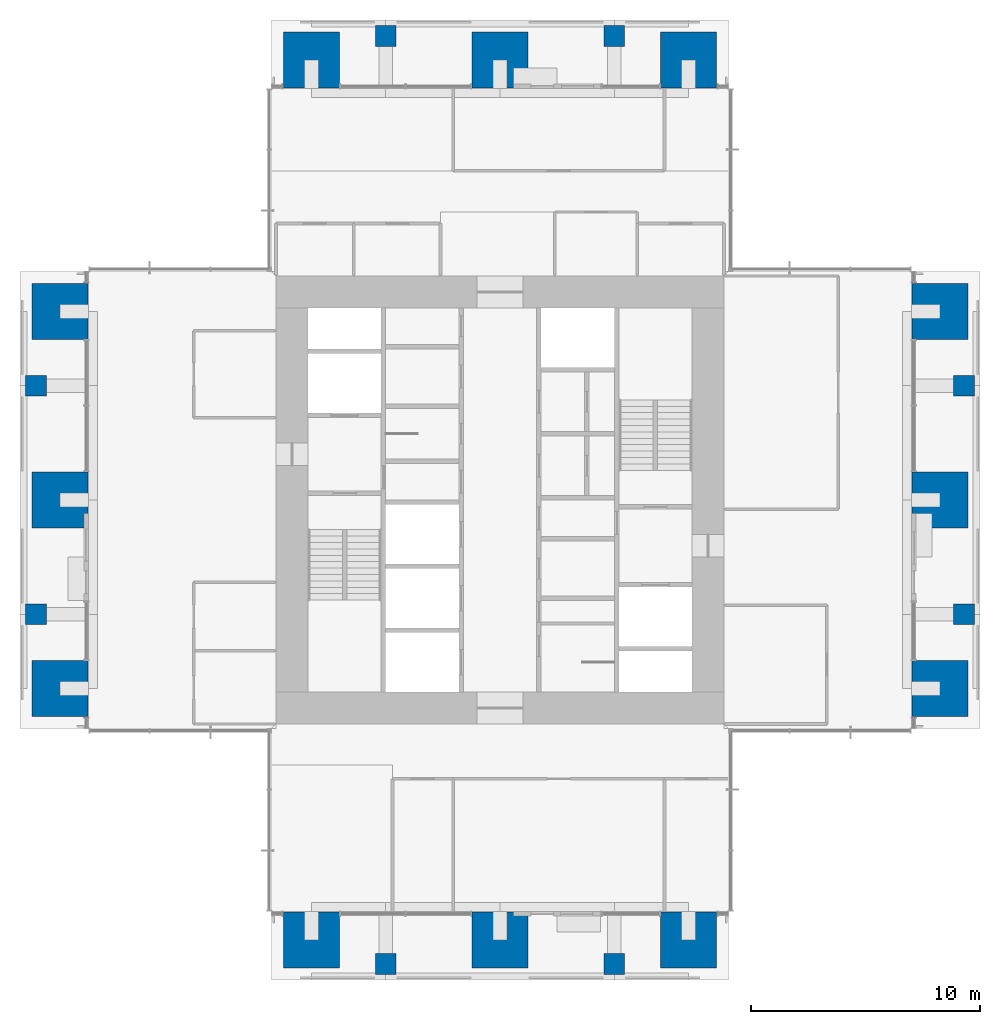
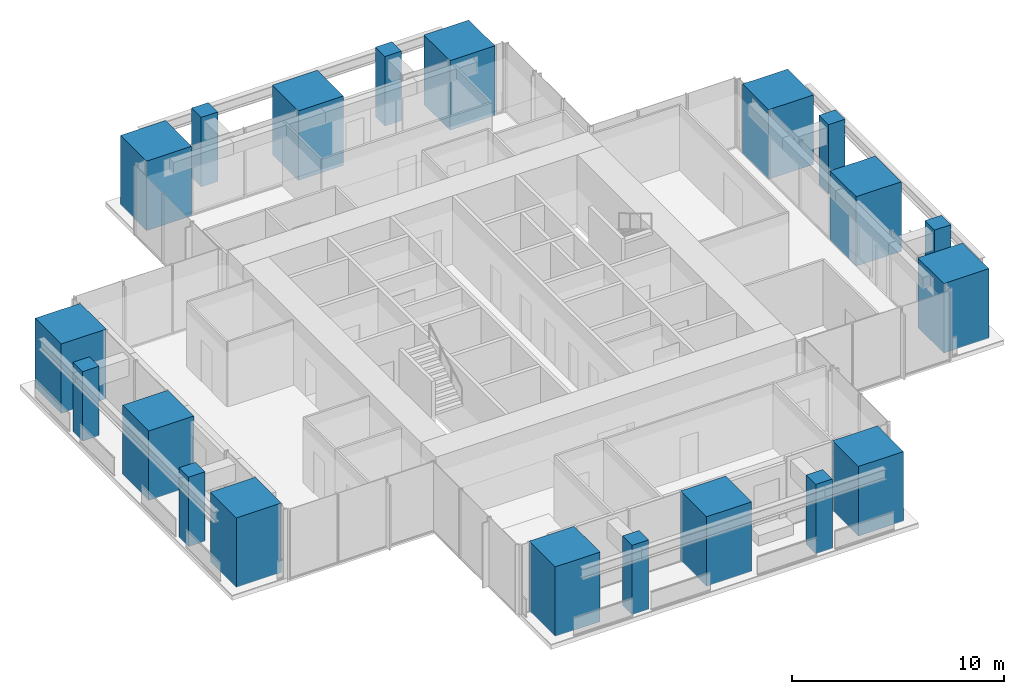
# One storey, part 1 of 17: 20 columns.
"""IFC4 building model written with IfcOpenShell, lengths in metres."""

from ifc_helpers import new_model, si_unit, direction, frame, origin, origin_2d, place, context, subcontext, project, spatial, rectangle, extrude, material, material_profile, profile_set, type_object, element, save


model = new_model("IFC4")

# Units and contexts
model_context = context("Model", 3, precision=1e-05, world=origin(), true_north=direction((0.0, 1.0)))
body_context = subcontext(model_context, "Body", "Model", "MODEL_VIEW")
ifc_project = project(units=[si_unit("LENGTHUNIT", "METRE"), si_unit("AREAUNIT", "SQUARE_METRE"), si_unit("VOLUMEUNIT", "CUBIC_METRE"), si_unit("PLANEANGLEUNIT", "RADIAN"), si_unit("MASSUNIT", "GRAM", prefix="KILO")], contexts=[model_context])

# Site, building, storey
site_placement = place(None, origin())
site = spatial("IfcSite", under=ifc_project, at=site_placement, CompositionType="ELEMENT")
building_placement = place(site_placement, origin())
building = spatial("IfcBuilding", under=site, at=building_placement, Name="Svetlomir Tower", CompositionType="ELEMENT")
storey_placement = place(building_placement, frame((0.0, 0.0, 218.5)))
storey = spatial("IfcBuildingStorey", under=building, at=storey_placement, Name="L52", CompositionType="ELEMENT", Elevation=218.5)

# Columns
ifc_material_1 = material(Name="Concrete C60/75", Category="concrete")
ifc_material_profile_1 = material_profile(ifc_material_1, rectangle(XDim=2.449951171875, YDim=2.449951171875, at=origin_2d()), Name="RC 2450x2450")
ifc_profile_set_1 = profile_set([ifc_material_profile_1], Name="Concrete C60/75")
column_type_1 = type_object("IfcColumnType", Name="COLUMN RC 2450x2450", PredefinedType="COLUMN", material=ifc_profile_set_1)
for number, where, z_axis, x_axis, name in (
    (1, (12.75, 1.75, 0.0), (0.0, 0.0, 1.0), (1.0, 0.0, 0.0), "Column 11/0 L52"),
    (2, (21.0, 1.75, 0.0), (0.0, 0.0, 1.0), (1.0, 0.0, 0.0), "Column 21/0 L52"),
    (3, (29.25, 1.75, 0.0), (0.0, 0.0, 1.0), (1.0, 0.0, 0.0), "Column 31/0 L52"),
    (4, (1.75, 12.75, 0.0), (0.0, 0.0, 1.0), (1.0, 0.0, 0.0), "Column 0/11 L52"),
    (5, (40.25, 12.75, 0.0), (0.0, 0.0, 1.0), (1.0, 0.0, 0.0), "Column 42/11 L52"),
    (6, (1.75, 21.0, 0.0), (0.0, 0.0, 1.0), (1.0, 0.0, 0.0), "Column 0/21 L52"),
    (7, (40.25, 21.0, 0.0), (0.0, 0.0, 1.0), (1.0, 0.0, 0.0), "Column 42/21 L52"),
    (8, (1.75, 29.25, 0.0), (0.0, 0.0, 1.0), (1.0, 0.0, 0.0), "Column 0/31 L52"),
    (9, (40.25, 29.25, 0.0), (0.0, 0.0, 1.0), (1.0, 0.0, 0.0), "Column 42/31 L52"),
    (10, (12.75, 40.25, 0.0), (0.0, 0.0, 1.0), (1.0, 0.0, 0.0), "Column 11/42 L52"),
    (11, (21.0, 40.25, 0.0), (0.0, 0.0, 1.0), (1.0, 0.0, 0.0), "Column 21/42 L52"),
    (12, (29.25, 40.25, 0.0), (0.0, 0.0, 1.0), (1.0, 0.0, 0.0), "Column 31/42 L52"),
):
    element("IfcColumn", number, at=place(storey_placement, frame(where, z_axis=z_axis, x_axis=x_axis)), inside=storey, type_object=column_type_1, Name=name, PredefinedType="COLUMN", context=body_context, shape_type="SweptSolid", body=[
        extrude(rectangle(XDim=2.449951171875, YDim=2.449951171875, at=origin_2d()), origin(), (0.0, 0.0, 1.0), 4.0),
    ])
ifc_material_2 = material(Name="Concrete C60/75", Category="concrete")
ifc_material_profile_2 = material_profile(ifc_material_2, rectangle(XDim=0.89990234375, YDim=0.89990234375, at=origin_2d()), Name="RC 900x900")
ifc_profile_set_2 = profile_set([ifc_material_profile_2], Name="Concrete C60/75")
column_type_2 = type_object("IfcColumnType", Name="COLUMN RC 900x900", PredefinedType="COLUMN", material=ifc_profile_set_2)
for number, where, z_axis, x_axis, name in (
    (13, (16.0, 0.699951171875, 0.0), (0.0, 0.0, 1.0), (1.0, 0.0, 0.0), "Column 16/0 L52"),
    (14, (26.0, 0.699951171875, 0.0), (0.0, 0.0, 1.0), (1.0, 0.0, 0.0), "Column 26/0 L52"),
    (15, (0.699951171875, 16.0, 0.0), (0.0, 0.0, 1.0), (1.0, 0.0, 0.0), "Column 0/16 L52"),
    (16, (41.300048828125, 16.0, 0.0), (0.0, 0.0, 1.0), (1.0, 0.0, 0.0), "Column 42/16 L52"),
    (17, (0.699951171875, 26.0, 0.0), (0.0, 0.0, 1.0), (1.0, 0.0, 0.0), "Column 0/26 L52"),
    (18, (41.300048828125, 26.0, 0.0), (0.0, 0.0, 1.0), (1.0, 0.0, 0.0), "Column 42/26 L52"),
    (19, (16.0, 41.300048828125, 0.0), (0.0, 0.0, 1.0), (1.0, 0.0, 0.0), "Column 16/42 L52"),
    (20, (26.0, 41.300048828125, 0.0), (0.0, 0.0, 1.0), (1.0, 0.0, 0.0), "Column 26/42 L52"),
):
    element("IfcColumn", number, at=place(storey_placement, frame(where, z_axis=z_axis, x_axis=x_axis)), inside=storey, type_object=column_type_2, Name=name, PredefinedType="COLUMN", context=body_context, shape_type="SweptSolid", body=[
        extrude(rectangle(XDim=0.89990234375, YDim=0.89990234375, at=origin_2d()), origin(), (0.0, 0.0, 1.0), 4.0),
    ])

save(model, "model.ifc")
